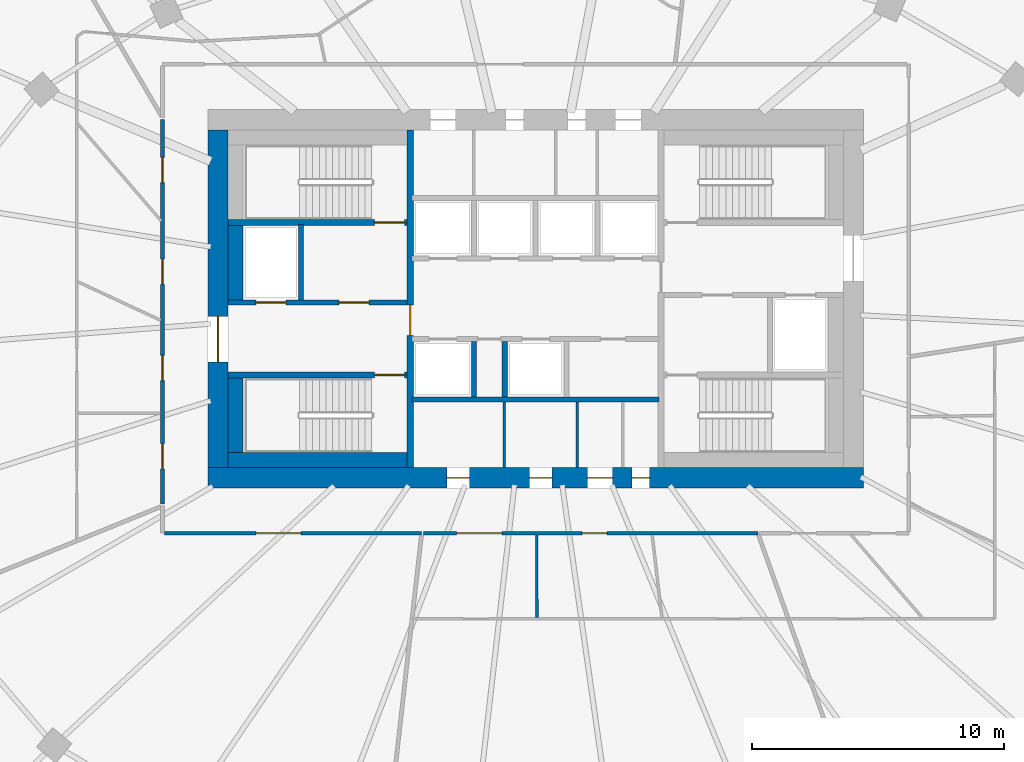
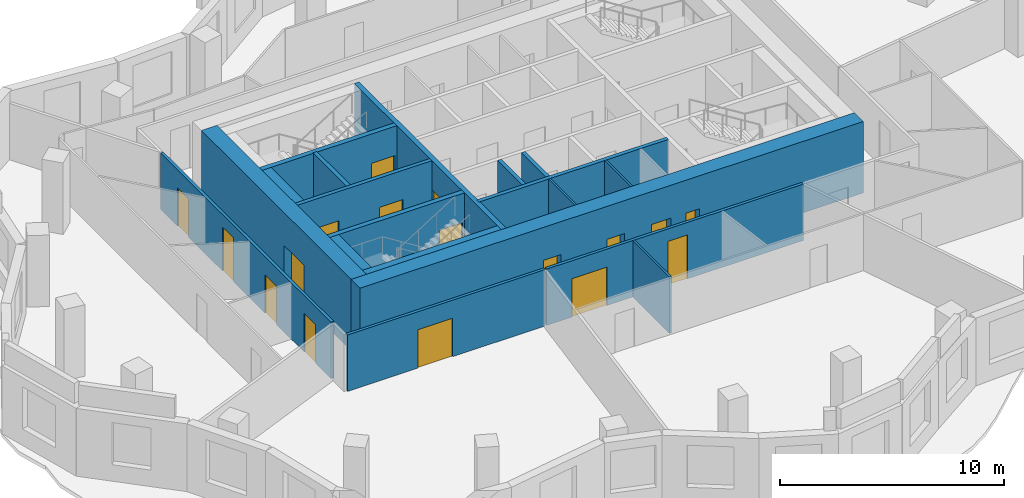
# One storey, part 4 of 9: 19 walls, 17 doors, 17 openings.
"""IFC4 building model written with IfcOpenShell, lengths in metres."""

from ifc_helpers import new_model, si_unit, direction, frame, frame_2d, origin, place, context, subcontext, project, spatial, rectangle, extrude, material, layer, layer_set, type_object, element, fill, save


model = new_model("IFC4")

# Units and contexts
model_context = context("Model", 3, precision=1e-05, world=origin(), true_north=direction((0.0, 1.0)))
body_context = subcontext(model_context, "Body", "Model", "MODEL_VIEW")
ifc_project = project(units=[si_unit("LENGTHUNIT", "METRE"), si_unit("AREAUNIT", "SQUARE_METRE"), si_unit("VOLUMEUNIT", "CUBIC_METRE"), si_unit("PLANEANGLEUNIT", "RADIAN"), si_unit("MASSUNIT", "GRAM", prefix="KILO")], contexts=[model_context])

# Site, building, storey
site_placement = place(None, origin())
site = spatial("IfcSite", under=ifc_project, at=site_placement, CompositionType="ELEMENT")
building_placement = place(site_placement, origin())
building = spatial("IfcBuilding", under=site, at=building_placement, Name="Rubra Terraces Tower", CompositionType="ELEMENT")
storey_placement = place(building_placement, frame((0.0, 0.0, 248.699951171875)))
storey = spatial("IfcBuildingStorey", under=building, at=storey_placement, Name="L61", CompositionType="ELEMENT", Elevation=248.699951171875)

# Wall, openings, doors
ifc_material_1 = material(Name="Concrete C50", Category="concrete")
ifc_layer_1 = layer(ifc_material_1, 0.800048828125)
ifc_layer_set_1 = layer_set([ifc_layer_1], Name="Concrete C50")
wall_type_1 = type_object("IfcWallType", Name="CORE WALL 800 C50", PredefinedType="SHEAR", material=ifc_layer_set_1)
wall_1_placement = place(storey_placement, frame((-13.0, -2.60009765625, 0.0), z_axis=(0.0, 0.0, 1.0), x_axis=(1.0, 0.0, 0.0)))
wall_1 = element("IfcWall", 1, at=wall_1_placement, inside=storey, type_object=wall_type_1, Name="CORE WALL S L61", PredefinedType="SHEAR", context=body_context, shape_type="SweptSolid", body=[
    extrude(rectangle(XDim=26.0, YDim=0.800048828125, at=frame_2d((13.0, 0.0))), origin(), (0.0, 0.0, 1.0), 3.900146484375),
])
opening_1_placement = place(wall_1_placement, frame((9.47509765625, 0.0, 0.0)))
opening_1 = element("IfcOpeningElement", 2, at=opening_1_placement, cuts=wall_1, Name="Opening L61.C21", PredefinedType="OPENING", context=body_context, shape_type="SweptSolid", body=[
    extrude(rectangle(XDim=0.89990234375, YDim=2.10009765625, at=frame_2d((0.449951171875, 1.050048828125))), frame((0.0, 0.409912109375, 0.0), z_axis=(0.0, -1.0, 0.0), x_axis=(1.0, 0.0, 0.0)), (0.0, 0.0, 1.0), 0.820068359375),
])
opening_2_placement = place(wall_1_placement, frame((12.75, 0.0, 0.0)))
opening_2 = element("IfcOpeningElement", 3, at=opening_2_placement, cuts=wall_1, Name="Opening L61.C22", PredefinedType="OPENING", context=body_context, shape_type="SweptSolid", body=[
    extrude(rectangle(XDim=0.89990234375, YDim=2.10009765625, at=frame_2d((0.449951171875, 1.050048828125))), frame((0.0, 0.409912109375, 0.0), z_axis=(0.0, -1.0, 0.0), x_axis=(1.0, 0.0, 0.0)), (0.0, 0.0, 1.0), 0.820068359375),
])
opening_3_placement = place(wall_1_placement, frame((15.050048828125, 0.0, 0.0)))
opening_3 = element("IfcOpeningElement", 4, at=opening_3_placement, cuts=wall_1, Name="Opening L61.C23", PredefinedType="OPENING", context=body_context, shape_type="SweptSolid", body=[
    extrude(rectangle(XDim=1.0, YDim=2.10009765625, at=frame_2d((0.5, 1.050048828125))), frame((0.0, 0.409912109375, 0.0), z_axis=(0.0, -1.0, 0.0), x_axis=(1.0, 0.0, 0.0)), (0.0, 0.0, 1.0), 0.820068359375),
])
opening_4_placement = place(wall_1_placement, frame((16.824951171875, 0.0, 0.0)))
opening_4 = element("IfcOpeningElement", 5, at=opening_4_placement, cuts=wall_1, Name="Opening L61.C24", PredefinedType="OPENING", context=body_context, shape_type="SweptSolid", body=[
    extrude(rectangle(XDim=0.699951171875, YDim=2.10009765625, at=frame_2d((0.35009765625, 1.050048828125))), frame((0.0, 0.409912109375, 0.0), z_axis=(0.0, -1.0, 0.0), x_axis=(1.0, 0.0, 0.0)), (0.0, 0.0, 1.0), 0.820068359375),
])
ifc_material_2 = material(Name="Painted steel", Category="steel")
door_type_1 = type_object("IfcDoorType", Name="Fire door 1000x2100 single", OperationType="NOTDEFINED", PredefinedType="DOOR", material=ifc_material_2)
door_1_placement = place(opening_3_placement, origin())
door_1 = element("IfcDoor", 6, at=door_1_placement, inside=storey, type_object=door_type_1, Name="Accessible WC door", OperationType="SINGLE_SWING_LEFT", OverallHeight=2.10009765625, OverallWidth=1.0, PredefinedType="DOOR", context=body_context, shape_type="SweptSolid", body=[
    extrude(rectangle(XDim=1.0, YDim=2.10009765625, at=frame_2d((0.5, 1.050048828125))), frame((0.0, 0.02490234375, 0.0), z_axis=(0.0, -1.0, 0.0), x_axis=(1.0, 0.0, 0.0)), (0.0, 0.0, 1.0), 0.050048828125),
])
fill(opening_3, door_1)
door_type_2 = type_object("IfcDoorType", Name="Fire door 900x2100 single", OperationType="NOTDEFINED", PredefinedType="DOOR", material=ifc_material_2)
door_2_placement = place(opening_1_placement, origin())
door_2 = element("IfcDoor", 7, at=door_2_placement, inside=storey, type_object=door_type_2, Name="Ladies WC door", OperationType="SINGLE_SWING_LEFT", OverallHeight=2.10009765625, OverallWidth=0.89990234375, PredefinedType="DOOR", context=body_context, shape_type="SweptSolid", body=[
    extrude(rectangle(XDim=0.89990234375, YDim=2.10009765625, at=frame_2d((0.449951171875, 1.050048828125))), frame((0.0, 0.02490234375, 0.0), z_axis=(0.0, -1.0, 0.0), x_axis=(1.0, 0.0, 0.0)), (0.0, 0.0, 1.0), 0.050048828125),
])
fill(opening_1, door_2)
door_3_placement = place(opening_2_placement, origin())
door_3 = element("IfcDoor", 8, at=door_3_placement, inside=storey, type_object=door_type_2, Name="Gents WC door", OperationType="SINGLE_SWING_RIGHT", OverallHeight=2.10009765625, OverallWidth=0.89990234375, PredefinedType="DOOR", context=body_context, shape_type="SweptSolid", body=[
    extrude(rectangle(XDim=0.89990234375, YDim=2.10009765625, at=frame_2d((0.449951171875, 1.050048828125))), frame((0.0, 0.02490234375, 0.0), z_axis=(0.0, -1.0, 0.0), x_axis=(1.0, 0.0, 0.0)), (0.0, 0.0, 1.0), 0.050048828125),
])
fill(opening_2, door_3)
door_type_3 = type_object("IfcDoorType", Name="Riser access door 700x2100 single", OperationType="NOTDEFINED", PredefinedType="DOOR", material=ifc_material_2)
door_4_placement = place(opening_4_placement, origin())
door_4 = element("IfcDoor", 9, at=door_4_placement, inside=storey, type_object=door_type_3, Name="Electrical riser room door", OperationType="SINGLE_SWING_RIGHT", OverallHeight=2.10009765625, OverallWidth=0.699951171875, PredefinedType="DOOR", context=body_context, shape_type="SweptSolid", body=[
    extrude(rectangle(XDim=0.699951171875, YDim=2.10009765625, at=frame_2d((0.35009765625, 1.050048828125))), frame((0.0, 0.02490234375, 0.0), z_axis=(0.0, -1.0, 0.0), x_axis=(1.0, 0.0, 0.0)), (0.0, 0.0, 1.0), 0.050048828125),
])
fill(opening_4, door_4)

# Wall, opening, door
wall_2_placement = place(storey_placement, frame((-12.60009765625, -2.199951171875, 0.0), z_axis=(0.0, 0.0, 1.0), x_axis=(0.0, 1.0, 0.0)))
wall_2 = element("IfcWall", 10, at=wall_2_placement, inside=storey, type_object=wall_type_1, Name="CORE WALL W L61", PredefinedType="SHEAR", context=body_context, shape_type="SweptSolid", body=[
    extrude(rectangle(XDim=13.39990234375, YDim=0.800048828125, at=frame_2d((6.699951171875, 0.0))), origin(), (0.0, 0.0, 1.0), 3.900146484375),
])
opening_5_placement = place(wall_2_placement, frame((4.199951171875, 0.0, 0.0)))
opening_5 = element("IfcOpeningElement", 11, at=opening_5_placement, cuts=wall_2, Name="Opening L61.C01", PredefinedType="OPENING", context=body_context, shape_type="SweptSolid", body=[
    extrude(rectangle(XDim=1.800048828125, YDim=2.10009765625, at=frame_2d((0.89990234375, 1.050048828125))), frame((0.0, 0.409912109375, 0.0), z_axis=(0.0, -1.0, 0.0), x_axis=(1.0, 0.0, 0.0)), (0.0, 0.0, 1.0), 0.820068359375),
])
door_type_4 = type_object("IfcDoorType", Name="Fire door 1800x2100 double", OperationType="NOTDEFINED", PredefinedType="DOOR", material=ifc_material_2)
door_5_placement = place(opening_5_placement, origin())
door_5 = element("IfcDoor", 12, at=door_5_placement, inside=storey, type_object=door_type_4, Name="Core entrance door FF1", OperationType="DOUBLE_DOOR_SINGLE_SWING", OverallHeight=2.10009765625, OverallWidth=1.800048828125, PredefinedType="DOOR", context=body_context, shape_type="SweptSolid", body=[
    extrude(rectangle(XDim=1.800048828125, YDim=2.10009765625, at=frame_2d((0.89990234375, 1.050048828125))), frame((0.0, 0.02490234375, 0.0), z_axis=(0.0, -1.0, 0.0), x_axis=(1.0, 0.0, 0.0)), (0.0, 0.0, 1.0), 0.050048828125),
])
fill(opening_5, door_5)

ifc_material_3 = material(Name="Plasterboard on steel stud, mineral wool infill", Category="steel")
ifc_layer_2 = layer(ifc_material_3, 0.14990234375)
ifc_layer_set_2 = layer_set([ifc_layer_2], Name="Plasterboard on steel stud, mineral wool infill")
wall_type_2 = type_object("IfcWallType", Name="CORRIDOR PARTITION 150", PredefinedType="PARTITIONING", material=ifc_layer_set_2)
wall_3_placement = place(storey_placement, frame((-14.72509765625, -4.800048828125, 0.0), z_axis=(0.0, 0.0, 1.0), x_axis=(1.0, 0.0, 0.0)))
wall_3 = element("IfcWall", 13, at=wall_3_placement, inside=storey, type_object=wall_type_2, Name="PARTITION", PredefinedType="PARTITIONING", context=body_context, shape_type="SweptSolid", body=[
    extrude(rectangle(XDim=10.206298828125, YDim=0.14990234375, at=frame_2d((5.10302734375, 0.0))), origin(), (0.0, 0.0, 1.0), 3.083984375),
])
opening_6_placement = place(wall_3_placement, frame((3.6259765625, 0.0, 0.0)))
opening_6 = element("IfcOpeningElement", 14, at=opening_6_placement, cuts=wall_3, Name="Opening 61-101", PredefinedType="OPENING", context=body_context, shape_type="SweptSolid", body=[
    extrude(rectangle(XDim=1.800048828125, YDim=2.10009765625, at=frame_2d((0.89990234375, 1.050048828125))), frame((0.0, 0.0849609375, 0.0), z_axis=(0.0, -1.0, 0.0), x_axis=(1.0, 0.0, 0.0)), (0.0, 0.0, 1.0), 0.169921875),
])
ifc_material_4 = material(Name="Painted timber door leaf, double", Category="wood")
door_type_5 = type_object("IfcDoorType", Name="ROOM DOUBLE DOOR 1800 X 2100", OperationType="DOUBLE_DOOR_SINGLE_SWING", PredefinedType="DOOR", material=ifc_material_4)
door_6_placement = place(opening_6_placement, origin())
door_6 = element("IfcDoor", 15, at=door_6_placement, inside=storey, type_object=door_type_5, Name="DOOR 61-101", OperationType="DOUBLE_DOOR_SINGLE_SWING", OverallHeight=2.10009765625, OverallWidth=1.800048828125, PredefinedType="DOOR", context=body_context, shape_type="SweptSolid", body=[
    extrude(rectangle(XDim=1.800048828125, YDim=2.10009765625, at=frame_2d((0.89990234375, 1.050048828125))), frame((0.0, 0.02490234375, 0.0), z_axis=(0.0, -1.0, 0.0), x_axis=(1.0, 0.0, 0.0)), (0.0, 0.0, 1.0), 0.050048828125),
])
fill(opening_6, door_6)

# Wall, openings, doors
wall_4_placement = place(storey_placement, frame((-4.44384765625, -4.800048828125, 0.0), z_axis=(0.0, 0.0, 1.0), x_axis=(1.0, 0.0, 0.0)))
wall_4 = element("IfcWall", 16, at=wall_4_placement, inside=storey, type_object=wall_type_2, Name="PARTITION", PredefinedType="PARTITIONING", context=body_context, shape_type="SweptSolid", body=[
    extrude(rectangle(XDim=13.25634765625, YDim=0.14990234375, at=frame_2d((6.628173828125, 0.0))), origin(), (0.0, 0.0, 1.0), 3.083984375),
])
opening_7_placement = place(wall_4_placement, frame((1.31005859375, 0.0, 0.0)))
opening_7 = element("IfcOpeningElement", 17, at=opening_7_placement, cuts=wall_4, Name="Opening 61-102", PredefinedType="OPENING", context=body_context, shape_type="SweptSolid", body=[
    extrude(rectangle(XDim=1.800048828125, YDim=2.10009765625, at=frame_2d((0.89990234375, 1.050048828125))), frame((0.0, 0.0849609375, 0.0), z_axis=(0.0, -1.0, 0.0), x_axis=(1.0, 0.0, 0.0)), (0.0, 0.0, 1.0), 0.169921875),
])
opening_8_placement = place(wall_4_placement, frame((6.277099609375, 0.0, 0.0)))
opening_8 = element("IfcOpeningElement", 18, at=opening_8_placement, cuts=wall_4, Name="Opening 61-104", PredefinedType="OPENING", context=body_context, shape_type="SweptSolid", body=[
    extrude(rectangle(XDim=1.0, YDim=2.39990234375, at=frame_2d((0.5, 1.199951171875))), frame((0.0, 0.0849609375, 0.0), z_axis=(0.0, -1.0, 0.0), x_axis=(1.0, 0.0, 0.0)), (0.0, 0.0, 1.0), 0.169921875),
])
ifc_material_5 = material(Name="Glazed aluminium meeting door leaf", Category="aluminium")
door_type_6 = type_object("IfcDoorType", Name="MEETING ROOM GLAZED DOOR 1000 X 2400", OperationType="SINGLE_SWING_LEFT", PredefinedType="DOOR", material=ifc_material_5)
door_7_placement = place(opening_8_placement, origin())
door_7 = element("IfcDoor", 19, at=door_7_placement, inside=storey, type_object=door_type_6, Name="DOOR 61-104", OperationType="SINGLE_SWING_RIGHT", OverallHeight=2.39990234375, OverallWidth=1.0, PredefinedType="DOOR", context=body_context, shape_type="SweptSolid", body=[
    extrude(rectangle(XDim=1.0, YDim=2.39990234375, at=frame_2d((0.5, 1.199951171875))), frame((0.0, 0.02490234375, 0.0), z_axis=(0.0, -1.0, 0.0), x_axis=(1.0, 0.0, 0.0)), (0.0, 0.0, 1.0), 0.050048828125),
])
fill(opening_8, door_7)
door_8_placement = place(opening_7_placement, origin())
door_8 = element("IfcDoor", 20, at=door_8_placement, inside=storey, type_object=door_type_5, Name="DOOR 61-102", OperationType="DOUBLE_DOOR_SINGLE_SWING", OverallHeight=2.10009765625, OverallWidth=1.800048828125, PredefinedType="DOOR", context=body_context, shape_type="SweptSolid", body=[
    extrude(rectangle(XDim=1.800048828125, YDim=2.10009765625, at=frame_2d((0.89990234375, 1.050048828125))), frame((0.0, 0.02490234375, 0.0), z_axis=(0.0, -1.0, 0.0), x_axis=(1.0, 0.0, 0.0)), (0.0, 0.0, 1.0), 0.050048828125),
])
fill(opening_7, door_8)

wall_5_placement = place(storey_placement, frame((-14.800048828125, 11.604248046875, 0.0), z_axis=(0.0, 0.0, 1.0), x_axis=(0.0, -1.0, 0.0)))
wall_5 = element("IfcWall", 21, at=wall_5_placement, inside=storey, type_object=wall_type_2, Name="PARTITION", PredefinedType="PARTITIONING", context=body_context, shape_type="SweptSolid", body=[
    extrude(rectangle(XDim=15.25, YDim=0.14990234375, at=frame_2d((7.625, 0.0))), origin(), (0.0, 0.0, 1.0), 3.083984375),
])
opening_9_placement = place(wall_5_placement, frame((1.5009765625, 0.0, 0.0)))
opening_9 = element("IfcOpeningElement", 22, at=opening_9_placement, cuts=wall_5, Name="Opening 61-115", PredefinedType="OPENING", context=body_context, shape_type="SweptSolid", body=[
    extrude(rectangle(XDim=1.0, YDim=2.10009765625, at=frame_2d((0.5, 1.050048828125))), frame((0.0, 0.0849609375, 0.0), z_axis=(0.0, -1.0, 0.0), x_axis=(1.0, 0.0, 0.0)), (0.0, 0.0, 1.0), 0.169921875),
])
opening_10_placement = place(wall_5_placement, frame((5.534912109375, 0.0, 0.0)))
opening_10 = element("IfcOpeningElement", 23, at=opening_10_placement, cuts=wall_5, Name="Opening 61-116", PredefinedType="OPENING", context=body_context, shape_type="SweptSolid", body=[
    extrude(rectangle(XDim=1.0, YDim=2.39990234375, at=frame_2d((0.5, 1.199951171875))), frame((0.0, 0.0849609375, 0.0), z_axis=(0.0, -1.0, 0.0), x_axis=(1.0, 0.0, 0.0)), (0.0, 0.0, 1.0), 0.169921875),
])
opening_11_placement = place(wall_5_placement, frame((9.35009765625, 0.0, 0.0)))
opening_11 = element("IfcOpeningElement", 24, at=opening_11_placement, cuts=wall_5, Name="Opening 61-120", PredefinedType="OPENING", context=body_context, shape_type="SweptSolid", body=[
    extrude(rectangle(XDim=1.0, YDim=2.10009765625, at=frame_2d((0.5, 1.050048828125))), frame((0.0, 0.0849609375, 0.0), z_axis=(0.0, -1.0, 0.0), x_axis=(1.0, 0.0, 0.0)), (0.0, 0.0, 1.0), 0.169921875),
])
opening_12_placement = place(wall_5_placement, frame((12.85009765625, 0.0, 0.0)))
opening_12 = element("IfcOpeningElement", 25, at=opening_12_placement, cuts=wall_5, Name="Opening 61-121", PredefinedType="OPENING", context=body_context, shape_type="SweptSolid", body=[
    extrude(rectangle(XDim=1.0, YDim=2.10009765625, at=frame_2d((0.5, 1.050048828125))), frame((0.0, 0.0849609375, 0.0), z_axis=(0.0, -1.0, 0.0), x_axis=(1.0, 0.0, 0.0)), (0.0, 0.0, 1.0), 0.169921875),
])
door_9_placement = place(opening_10_placement, origin())
door_9 = element("IfcDoor", 26, at=door_9_placement, inside=storey, type_object=door_type_6, Name="DOOR 61-116", OperationType="SINGLE_SWING_RIGHT", OverallHeight=2.39990234375, OverallWidth=1.0, PredefinedType="DOOR", context=body_context, shape_type="SweptSolid", body=[
    extrude(rectangle(XDim=1.0, YDim=2.39990234375, at=frame_2d((0.5, 1.199951171875))), frame((0.0, 0.02490234375, 0.0), z_axis=(0.0, -1.0, 0.0), x_axis=(1.0, 0.0, 0.0)), (0.0, 0.0, 1.0), 0.050048828125),
])
fill(opening_10, door_9)
ifc_material_6 = material(Name="Painted timber door leaf", Category="wood")
door_type_7 = type_object("IfcDoorType", Name="ROOM DOOR 1000 X 2100", OperationType="SINGLE_SWING_LEFT", PredefinedType="DOOR", material=ifc_material_6)
door_10_placement = place(opening_9_placement, origin())
door_10 = element("IfcDoor", 27, at=door_10_placement, inside=storey, type_object=door_type_7, Name="DOOR 61-115", OperationType="SINGLE_SWING_RIGHT", OverallHeight=2.10009765625, OverallWidth=1.0, PredefinedType="DOOR", context=body_context, shape_type="SweptSolid", body=[
    extrude(rectangle(XDim=1.0, YDim=2.10009765625, at=frame_2d((0.5, 1.050048828125))), frame((0.0, 0.02490234375, 0.0), z_axis=(0.0, -1.0, 0.0), x_axis=(1.0, 0.0, 0.0)), (0.0, 0.0, 1.0), 0.050048828125),
])
fill(opening_9, door_10)
door_11_placement = place(opening_11_placement, origin())
door_11 = element("IfcDoor", 28, at=door_11_placement, inside=storey, type_object=door_type_7, Name="DOOR 61-120", OperationType="SINGLE_SWING_RIGHT", OverallHeight=2.10009765625, OverallWidth=1.0, PredefinedType="DOOR", context=body_context, shape_type="SweptSolid", body=[
    extrude(rectangle(XDim=1.0, YDim=2.10009765625, at=frame_2d((0.5, 1.050048828125))), frame((0.0, 0.02490234375, 0.0), z_axis=(0.0, -1.0, 0.0), x_axis=(1.0, 0.0, 0.0)), (0.0, 0.0, 1.0), 0.050048828125),
])
fill(opening_11, door_11)
door_12_placement = place(opening_12_placement, origin())
door_12 = element("IfcDoor", 29, at=door_12_placement, inside=storey, type_object=door_type_7, Name="DOOR 61-121", OperationType="SINGLE_SWING_RIGHT", OverallHeight=2.10009765625, OverallWidth=1.0, PredefinedType="DOOR", context=body_context, shape_type="SweptSolid", body=[
    extrude(rectangle(XDim=1.0, YDim=2.10009765625, at=frame_2d((0.5, 1.050048828125))), frame((0.0, 0.02490234375, 0.0), z_axis=(0.0, -1.0, 0.0), x_axis=(1.0, 0.0, 0.0)), (0.0, 0.0, 1.0), 0.050048828125),
])
fill(opening_12, door_12)

# Walls
ifc_material_7 = material(Name="Concrete C40", Category="concrete")
ifc_layer_3 = layer(ifc_material_7, 0.60009765625)
ifc_layer_set_3 = layer_set([ifc_layer_3], Name="Concrete C40")
wall_type_3 = type_object("IfcWallType", Name="Core lining wall 600 concrete", PredefinedType="SOLIDWALL", material=ifc_layer_set_3)
wall_6_placement = place(storey_placement, frame((-12.199951171875, -1.89990234375, 0.0), z_axis=(0.0, 0.0, 1.0), x_axis=(1.0, 0.0, 0.0)))
element("IfcWall", 30, at=wall_6_placement, inside=storey, type_object=wall_type_3, Name="CORE LINING WALL L61", PredefinedType="SOLIDWALL", context=body_context, shape_type="SweptSolid", body=[
    extrude(rectangle(XDim=7.099853515625, YDim=0.60009765625, at=frame_2d((3.5498046875, 0.0))), origin(), (0.0, 0.0, 1.0), 3.699951171875),
])
wall_7_placement = place(storey_placement, frame((-11.89990234375, -1.60009765625, 0.0), z_axis=(0.0, 0.0, 1.0), x_axis=(0.0, 1.0, 0.0)))
element("IfcWall", 31, at=wall_7_placement, inside=storey, type_object=wall_type_3, Name="CORE LINING WALL L61", PredefinedType="SOLIDWALL", context=body_context, shape_type="SweptSolid", body=[
    extrude(rectangle(XDim=2.9501953125, YDim=0.60009765625, at=frame_2d((1.47509765625, 0.0))), origin(), (0.0, 0.0, 1.0), 3.699951171875),
])
wall_8_placement = place(storey_placement, frame((-11.89990234375, 4.449951171875, 0.0), z_axis=(0.0, 0.0, 1.0), x_axis=(0.0, 1.0, 0.0)))
element("IfcWall", 32, at=wall_8_placement, inside=storey, type_object=wall_type_3, Name="CORE LINING WALL L61", PredefinedType="SOLIDWALL", context=body_context, shape_type="SweptSolid", body=[
    extrude(rectangle(XDim=3.0, YDim=0.60009765625, at=frame_2d((1.5, 0.0))), origin(), (0.0, 0.0, 1.0), 3.699951171875),
])

# Wall, openings, doors
ifc_material_8 = material(Name="Concrete C30", Category="concrete")
ifc_layer_4 = layer(ifc_material_8, 0.199951171875)
ifc_layer_set_4 = layer_set([ifc_layer_4], Name="Concrete C30")
wall_type_4 = type_object("IfcWallType", Name="Core wall 200 concrete", PredefinedType="SOLIDWALL", material=ifc_layer_set_4)
wall_9_placement = place(storey_placement, frame((-12.199951171875, 4.35009765625, 0.0), z_axis=(0.0, 0.0, 1.0), x_axis=(1.0, 0.0, 0.0)))
wall_9 = element("IfcWall", 33, at=wall_9_placement, inside=storey, type_object=wall_type_4, Name="STAIR WALL L61", PredefinedType="SOLIDWALL", context=body_context, shape_type="SweptSolid", body=[
    extrude(rectangle(XDim=7.099853515625, YDim=0.199951171875, at=frame_2d((3.5498046875, 0.0))), origin(), (0.0, 0.0, 1.0), 3.699951171875),
])
opening_13_placement = place(wall_9_placement, frame((4.39990234375, 0.0, 0.0)))
opening_13 = element("IfcOpeningElement", 34, at=opening_13_placement, cuts=wall_9, Name="Opening L61.C05", PredefinedType="OPENING", context=body_context, shape_type="SweptSolid", body=[
    extrude(rectangle(XDim=1.199951171875, YDim=2.10009765625, at=frame_2d((0.60009765625, 1.050048828125))), frame((0.0, 0.10986328125, 0.0), z_axis=(0.0, -1.0, 0.0), x_axis=(1.0, 0.0, 0.0)), (0.0, 0.0, 1.0), 0.219970703125),
])
opening_14_placement = place(wall_9_placement, frame((1.10009765625, 0.0, 0.0)))
opening_14 = element("IfcOpeningElement", 35, at=opening_14_placement, cuts=wall_9, Name="Opening L61.C11", PredefinedType="OPENING", context=body_context, shape_type="SweptSolid", body=[
    extrude(rectangle(XDim=1.199951171875, YDim=2.10009765625, at=frame_2d((0.60009765625, 1.050048828125))), frame((0.0, 0.10986328125, 0.0), z_axis=(0.0, -1.0, 0.0), x_axis=(1.0, 0.0, 0.0)), (0.0, 0.0, 1.0), 0.219970703125),
])
door_type_8 = type_object("IfcDoorType", Name="Fire door 1200x2100 single", OperationType="NOTDEFINED", PredefinedType="DOOR", material=ifc_material_2)
door_13_placement = place(opening_13_placement, origin())
door_13 = element("IfcDoor", 36, at=door_13_placement, inside=storey, type_object=door_type_8, Name="Stair vestibule door S2", OperationType="SINGLE_SWING_LEFT", OverallHeight=2.10009765625, OverallWidth=1.199951171875, PredefinedType="DOOR", context=body_context, shape_type="SweptSolid", body=[
    extrude(rectangle(XDim=1.199951171875, YDim=2.10009765625, at=frame_2d((0.60009765625, 1.050048828125))), frame((0.0, 0.02490234375, 0.0), z_axis=(0.0, -1.0, 0.0), x_axis=(1.0, 0.0, 0.0)), (0.0, 0.0, 1.0), 0.050048828125),
])
fill(opening_13, door_13)
ifc_material_9 = material(Name="Stainless steel", Category="steel")
door_type_9 = type_object("IfcDoorType", Name="Lift landing door 1200x2100", OperationType="NOTDEFINED", PredefinedType="DOOR", material=ifc_material_9)
door_14_placement = place(opening_14_placement, origin())
door_14 = element("IfcDoor", 37, at=door_14_placement, inside=storey, type_object=door_type_9, Name="Landing door FF1", OperationType="SLIDING_TO_RIGHT", OverallHeight=2.10009765625, OverallWidth=1.199951171875, PredefinedType="DOOR", context=body_context, shape_type="SweptSolid", body=[
    extrude(rectangle(XDim=1.199951171875, YDim=2.10009765625, at=frame_2d((0.60009765625, 1.050048828125))), frame((0.0, 0.02490234375, 0.0), z_axis=(0.0, -1.0, 0.0), x_axis=(1.0, 0.0, 0.0)), (0.0, 0.0, 1.0), 0.050048828125),
])
fill(opening_14, door_14)

# Walls
wall_10_placement = place(storey_placement, frame((-9.300048828125, 4.449951171875, 0.0), z_axis=(0.0, 0.0, 1.0), x_axis=(0.0, 1.0, 0.0)))
element("IfcWall", 38, at=wall_10_placement, inside=storey, type_object=wall_type_4, Name="STAIR WALL L61", PredefinedType="SOLIDWALL", context=body_context, shape_type="SweptSolid", body=[
    extrude(rectangle(XDim=3.0, YDim=0.199951171875, at=frame_2d((1.5, 0.0))), origin(), (0.0, 0.0, 1.0), 3.699951171875),
])
wall_11_placement = place(storey_placement, frame((-4.89990234375, 0.5, 0.0), z_axis=(0.0, 0.0, 1.0), x_axis=(1.0, 0.0, 0.0)))
element("IfcWall", 39, at=wall_11_placement, inside=storey, type_object=wall_type_4, Name="LIFT SHAFT WALL L61", PredefinedType="SOLIDWALL", context=body_context, shape_type="SweptSolid", body=[
    extrude(rectangle(XDim=9.7998046875, YDim=0.199951171875, at=frame_2d((4.89990234375, 0.0))), origin(), (0.0, 0.0, 1.0), 3.699951171875),
])
for number, where, z_axis, x_axis, name in (
    (40, (-2.449951171875, 0.60009765625, 0.0), (0.0, 0.0, 1.0), (0.0, 1.0, 0.0), "LIFT SHAFT WALL L61"),
    (41, (-1.22509765625, 0.60009765625, 0.0), (0.0, 0.0, 1.0), (0.0, 1.0, 0.0), "LIFT SHAFT WALL L61"),
):
    element("IfcWall", number, at=place(storey_placement, frame(where, z_axis=z_axis, x_axis=x_axis)), inside=storey, type_object=wall_type_4, Name=name, PredefinedType="SOLIDWALL", context=body_context, shape_type="SweptSolid", body=[
        extrude(rectangle(XDim=2.199951171875, YDim=0.199951171875, at=frame_2d((1.10009765625, 0.0))), origin(), (0.0, 0.0, 1.0), 3.699951171875),
    ])
ifc_material_10 = material(Name="Plasterboard on steel stud", Category="steel")
ifc_layer_5 = layer(ifc_material_10, 0.10009765625)
ifc_layer_set_5 = layer_set([ifc_layer_5], Name="Plasterboard on steel stud")
wall_type_5 = type_object("IfcWallType", Name="ROOM PARTITION 100", PredefinedType="PARTITIONING", material=ifc_layer_set_5)
wall_12_placement = place(storey_placement, frame((0.052001953125, -4.875, 0.0), z_axis=(0.0, 0.0, 1.0), x_axis=(0.000596391723, -0.999999822158, 0.0)))
element("IfcWall", 42, at=wall_12_placement, inside=storey, type_object=wall_type_5, Name="PARTITION", PredefinedType="PARTITIONING", context=body_context, shape_type="SweptSolid", body=[
    extrude(rectangle(XDim=3.27490234375, YDim=0.10009765625, at=frame_2d((1.637451171875, 0.0))), origin(), (0.0, 0.0, 1.0), 3.083984375),
])
ifc_material_11 = material(Name="Blockwork", Category="masonry")
ifc_layer_6 = layer(ifc_material_11, 0.10009765625)
ifc_layer_set_6 = layer_set([ifc_layer_6], Name="Blockwork")
wall_type_6 = type_object("IfcWallType", Name="Service partition 100 blockwork", PredefinedType="PARTITIONING", material=ifc_layer_set_6)
for number, where, z_axis, x_axis, name in (
    (43, (-1.25, -2.199951171875, 0.0), (0.0, 0.0, 1.0), (0.0, 1.0, 0.0), "SERVICE ROOM PARTITION L61"),
    (44, (1.64990234375, -2.199951171875, 0.0), (0.0, 0.0, 1.0), (0.0, 1.0, 0.0), "SERVICE ROOM PARTITION L61"),
):
    element("IfcWall", number, at=place(storey_placement, frame(where, z_axis=z_axis, x_axis=x_axis)), inside=storey, type_object=wall_type_6, Name=name, PredefinedType="PARTITIONING", context=body_context, shape_type="SweptSolid", body=[
        extrude(rectangle(XDim=2.599853515625, YDim=0.10009765625, at=frame_2d((1.2998046875, 0.0))), origin(), (0.0, 0.0, 1.0), 3.699951171875),
    ])

# Wall, opening, door
ifc_layer_7 = layer(ifc_material_7, 0.25)
ifc_layer_set_7 = layer_set([ifc_layer_7], Name="Concrete C40")
wall_type_7 = type_object("IfcWallType", Name="Stair enclosure wall 250 concrete", PredefinedType="SOLIDWALL", material=ifc_layer_set_7)
wall_13_placement = place(storey_placement, frame((-12.199951171875, 1.47509765625, 0.0), z_axis=(0.0, 0.0, 1.0), x_axis=(1.0, 0.0, 0.0)))
wall_13 = element("IfcWall", 45, at=wall_13_placement, inside=storey, type_object=wall_type_7, Name="STAIR WALL L61", PredefinedType="SOLIDWALL", context=body_context, shape_type="SweptSolid", body=[
    extrude(rectangle(XDim=7.099853515625, YDim=0.25, at=frame_2d((3.5498046875, 0.0))), origin(), (0.0, 0.0, 1.0), 3.699951171875),
])
opening_15_placement = place(wall_13_placement, frame((5.800048828125, 0.0, 0.0)))
opening_15 = element("IfcOpeningElement", 46, at=opening_15_placement, cuts=wall_13, Name="Opening L61.C07", PredefinedType="OPENING", context=body_context, shape_type="SweptSolid", body=[
    extrude(rectangle(XDim=1.199951171875, YDim=2.10009765625, at=frame_2d((0.60009765625, 1.050048828125))), frame((0.0, 0.135009765625, 0.0), z_axis=(0.0, -1.0, 0.0), x_axis=(1.0, 0.0, 0.0)), (0.0, 0.0, 1.0), 0.27001953125),
])
door_15_placement = place(opening_15_placement, origin())
door_15 = element("IfcDoor", 47, at=door_15_placement, inside=storey, type_object=door_type_8, Name="Stair door S1", OperationType="SINGLE_SWING_LEFT", OverallHeight=2.10009765625, OverallWidth=1.199951171875, PredefinedType="DOOR", context=body_context, shape_type="SweptSolid", body=[
    extrude(rectangle(XDim=1.199951171875, YDim=2.10009765625, at=frame_2d((0.60009765625, 1.050048828125))), frame((0.0, 0.02490234375, 0.0), z_axis=(0.0, -1.0, 0.0), x_axis=(1.0, 0.0, 0.0)), (0.0, 0.0, 1.0), 0.050048828125),
])
fill(opening_15, door_15)

wall_14_placement = place(storey_placement, frame((-12.199951171875, 7.52490234375, 0.0), z_axis=(0.0, 0.0, 1.0), x_axis=(1.0, 0.0, 0.0)))
wall_14 = element("IfcWall", 48, at=wall_14_placement, inside=storey, type_object=wall_type_7, Name="STAIR WALL L61", PredefinedType="SOLIDWALL", context=body_context, shape_type="SweptSolid", body=[
    extrude(rectangle(XDim=7.099853515625, YDim=0.25, at=frame_2d((3.5498046875, 0.0))), origin(), (0.0, 0.0, 1.0), 3.699951171875),
])
opening_16_placement = place(wall_14_placement, frame((5.800048828125, 0.0, 0.0)))
opening_16 = element("IfcOpeningElement", 49, at=opening_16_placement, cuts=wall_14, Name="Opening L61.C09", PredefinedType="OPENING", context=body_context, shape_type="SweptSolid", body=[
    extrude(rectangle(XDim=1.199951171875, YDim=2.10009765625, at=frame_2d((0.60009765625, 1.050048828125))), frame((0.0, 0.135009765625, 0.0), z_axis=(0.0, -1.0, 0.0), x_axis=(1.0, 0.0, 0.0)), (0.0, 0.0, 1.0), 0.27001953125),
])
door_16_placement = place(opening_16_placement, origin())
door_16 = element("IfcDoor", 50, at=door_16_placement, inside=storey, type_object=door_type_8, Name="Stair door S2", OperationType="SINGLE_SWING_LEFT", OverallHeight=2.10009765625, OverallWidth=1.199951171875, PredefinedType="DOOR", context=body_context, shape_type="SweptSolid", body=[
    extrude(rectangle(XDim=1.199951171875, YDim=2.10009765625, at=frame_2d((0.60009765625, 1.050048828125))), frame((0.0, 0.02490234375, 0.0), z_axis=(0.0, -1.0, 0.0), x_axis=(1.0, 0.0, 0.0)), (0.0, 0.0, 1.0), 0.050048828125),
])
fill(opening_16, door_16)

wall_15_placement = place(storey_placement, frame((-4.97509765625, -2.199951171875, 0.0), z_axis=(0.0, 0.0, 1.0), x_axis=(0.0, 1.0, 0.0)))
wall_15 = element("IfcWall", 51, at=wall_15_placement, inside=storey, type_object=wall_type_7, Name="CORE LOBBY WALL L61", PredefinedType="SOLIDWALL", context=body_context, shape_type="SweptSolid", body=[
    extrude(rectangle(XDim=13.39990234375, YDim=0.25, at=frame_2d((6.699951171875, 0.0))), origin(), (0.0, 0.0, 1.0), 3.699951171875),
])
opening_17_placement = place(wall_15_placement, frame((5.25, 0.0, 0.0)))
opening_17 = element("IfcOpeningElement", 52, at=opening_17_placement, cuts=wall_15, Name="Opening L61.C03", PredefinedType="OPENING", context=body_context, shape_type="SweptSolid", body=[
    extrude(rectangle(XDim=1.199951171875, YDim=2.10009765625, at=frame_2d((0.60009765625, 1.050048828125))), frame((0.0, 0.135009765625, 0.0), z_axis=(0.0, -1.0, 0.0), x_axis=(1.0, 0.0, 0.0)), (0.0, 0.0, 1.0), 0.27001953125),
])
door_17_placement = place(opening_17_placement, origin())
door_17 = element("IfcDoor", 53, at=door_17_placement, inside=storey, type_object=door_type_8, Name="Firefighting lobby door FF1", OperationType="SINGLE_SWING_LEFT", OverallHeight=2.10009765625, OverallWidth=1.199951171875, PredefinedType="DOOR", context=body_context, shape_type="SweptSolid", body=[
    extrude(rectangle(XDim=1.199951171875, YDim=2.10009765625, at=frame_2d((0.60009765625, 1.050048828125))), frame((0.0, 0.02490234375, 0.0), z_axis=(0.0, -1.0, 0.0), x_axis=(1.0, 0.0, 0.0)), (0.0, 0.0, 1.0), 0.050048828125),
])
fill(opening_17, door_17)

save(model, "model.ifc")
